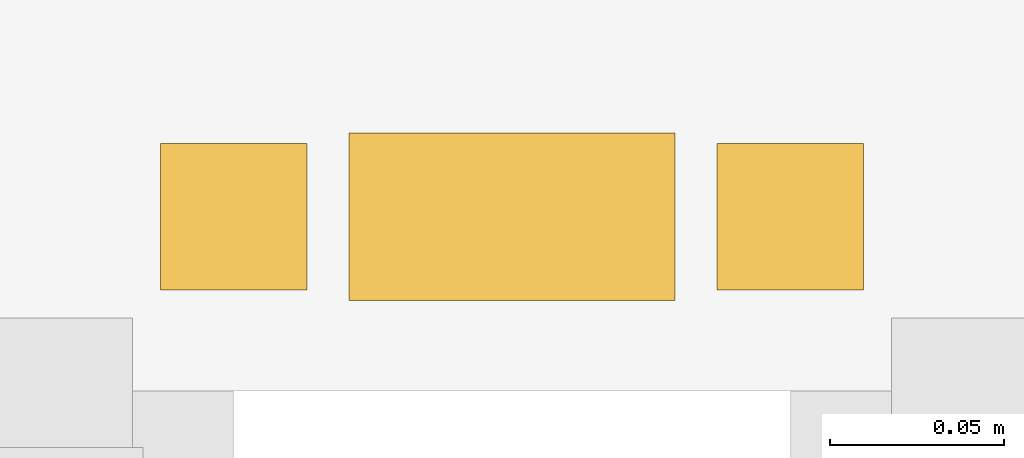
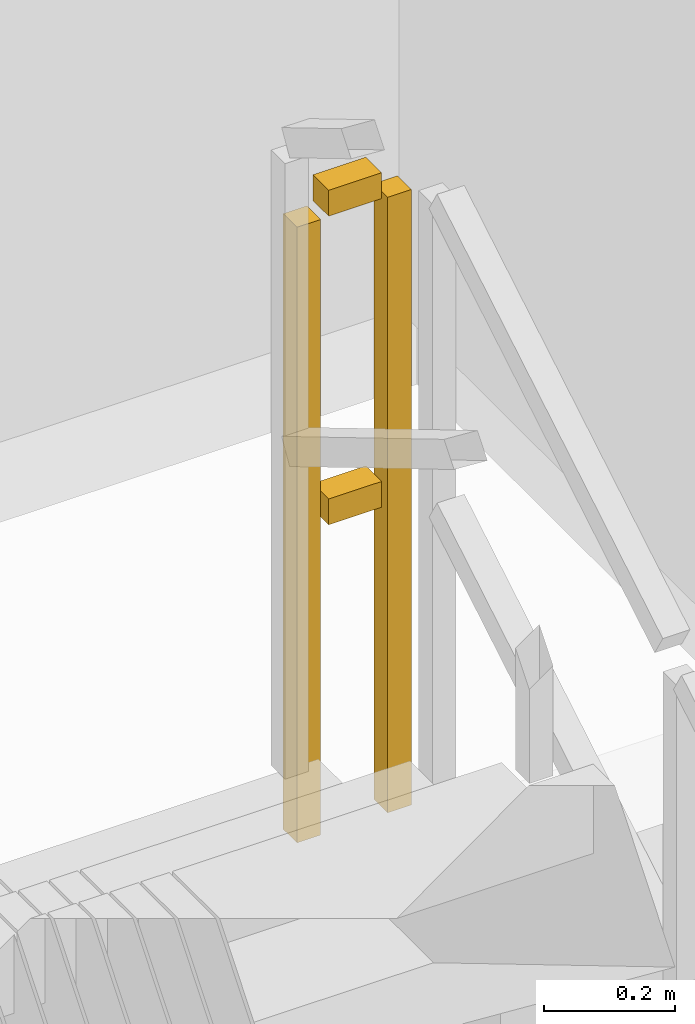
# One storey, part 13 of 13: 1 railing.
"""IFC4 building model written with IfcOpenShell, lengths in metres."""

from ifc_helpers import new_model, si_unit, direction, frame, origin, origin_2d, place, context, subcontext, project, spatial, rectangle, extrude, material, type_object, element, save


model = new_model("IFC4")

# Units and contexts
model_context = context("Model", 3, precision=1e-05, world=origin(), true_north=direction((0.0, 1.0)))
body_context = subcontext(model_context, "Body", "Model", "MODEL_VIEW")
ifc_project = project(units=[si_unit("LENGTHUNIT", "METRE"), si_unit("AREAUNIT", "SQUARE_METRE"), si_unit("VOLUMEUNIT", "CUBIC_METRE"), si_unit("PLANEANGLEUNIT", "RADIAN"), si_unit("MASSUNIT", "GRAM", prefix="KILO")], contexts=[model_context])

# Site, building, storey
site_placement = place(None, origin())
site = spatial("IfcSite", under=ifc_project, at=site_placement, CompositionType="ELEMENT")
building_placement = place(site_placement, origin())
building = spatial("IfcBuilding", under=site, at=building_placement, Name="Saelheon Loggia Tower", CompositionType="ELEMENT")
storey_placement = place(building_placement, frame((0.0, 0.0, 110.85009765625)))
storey = spatial("IfcBuildingStorey", under=building, at=storey_placement, Name="L35", CompositionType="ELEMENT", Elevation=110.85009765625)

# Railing
ifc_material = material(Name="Galvanised Steel S275 Stairwell Guardrail", Category="steel")
railing_type = type_object("IfcRailingType", Name="Guard_StairWell_RL_STG", PredefinedType="GUARDRAIL", material=ifc_material)
railing_placement = place(storey_placement, frame((42.489990234375, 32.739990234375, 1.5)))
element("IfcRailing", 1, at=railing_placement, inside=storey, type_object=railing_type, Name="L35 ST2 stair guard 2", PredefinedType="GUARDRAIL", context=body_context, shape_type="SweptSolid", body=[
    extrude(rectangle(XDim=0.048095703125, YDim=0.048095703125, at=origin_2d()), frame((-0.033203125, 0.0, 1.17578125), z_axis=(-1.0, 0.0, 0.0), x_axis=(0.0, -1.0, 0.0)), (0.0, 0.0, 1.0), 0.093505859375),
    extrude(rectangle(XDim=0.048095703125, YDim=0.048095703125, at=origin_2d()), frame((-0.033203125, 0.0, 0.60009765625), z_axis=(-1.0, 0.0, 0.0), x_axis=(0.0, -1.0, 0.0)), (0.0, 0.0, 1.0), 0.093505859375),
    extrude(rectangle(XDim=0.0419921875, YDim=0.0419921875, at=origin_2d()), origin(), (0.0, 0.0, 1.0), 1.14794921875),
    extrude(rectangle(XDim=0.0419921875, YDim=0.0419921875, at=origin_2d()), frame((-0.159912109375, 0.0, 0.0)), (0.0, 0.0, 1.0), 1.14794921875),
])

save(model, "model.ifc")
